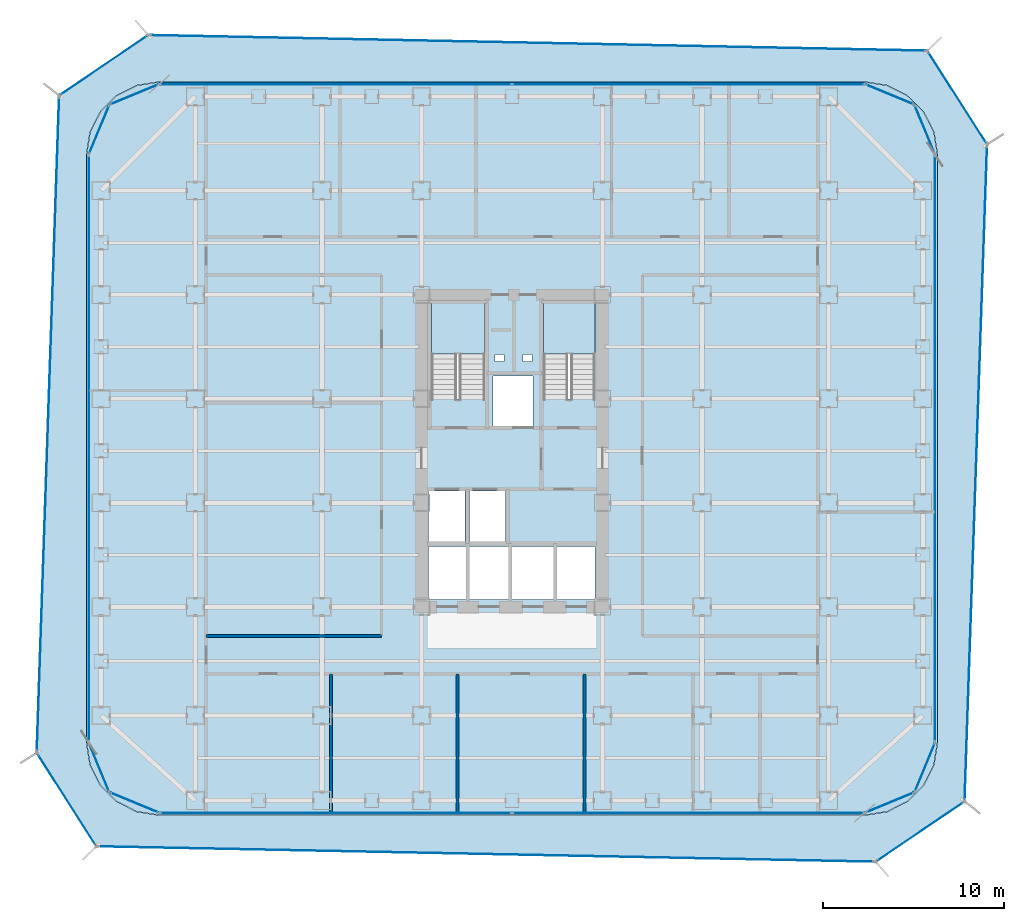
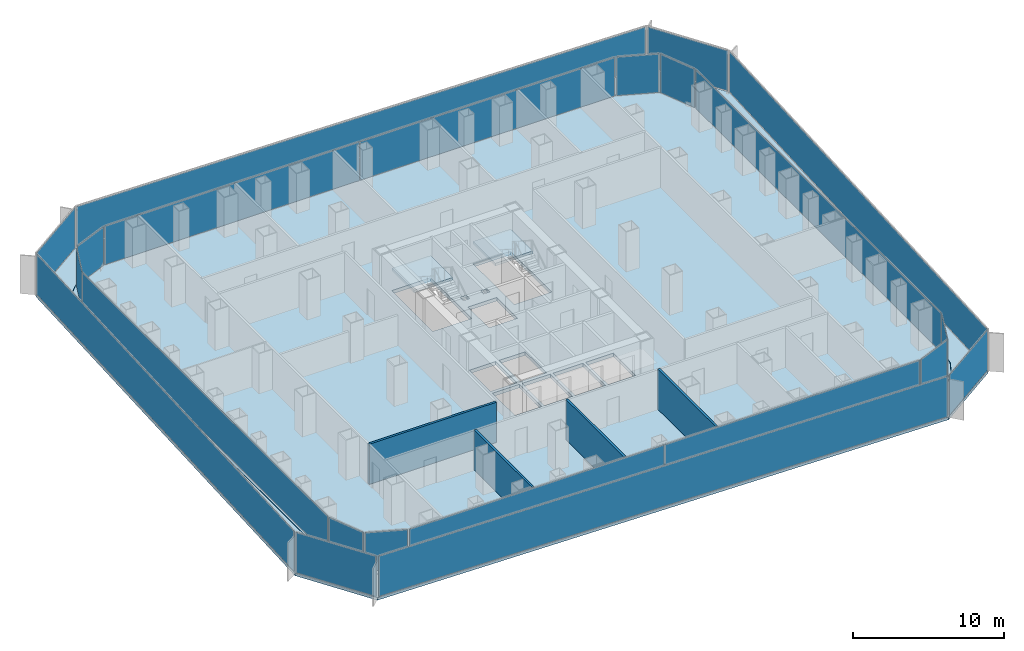
# One storey, part 16 of 22: 22 plates, 4 slabs, 4 walls, 22 elements without a shape of their own.
"""IFC4 building model written with IfcOpenShell, lengths in metres."""

from ifc_helpers import new_model, si_unit, direction, frame, frame_2d, origin, origin_2d, place, context, subcontext, project, spatial, polyline, rectangle, outline, extrude, source, transform, mapped, material, layer, layer_set, type_object, element, aggregate, save


model = new_model("IFC4")

# Units and contexts
model_context = context("Model", 3, precision=1e-05, world=origin(), true_north=direction((0.0, 1.0)))
body_context = subcontext(model_context, "Body", "Model", "MODEL_VIEW")
ifc_project = project(units=[si_unit("LENGTHUNIT", "METRE"), si_unit("AREAUNIT", "SQUARE_METRE"), si_unit("VOLUMEUNIT", "CUBIC_METRE"), si_unit("PLANEANGLEUNIT", "RADIAN"), si_unit("MASSUNIT", "GRAM", prefix="KILO")], contexts=[model_context])

# Site, building, storey
site_placement = place(None, origin())
site = spatial("IfcSite", under=ifc_project, at=site_placement, CompositionType="ELEMENT")
building_placement = place(site_placement, origin())
building = spatial("IfcBuilding", under=site, at=building_placement, Name="Kolveth Station Tower", CompositionType="ELEMENT")
storey_placement = place(building_placement, frame((0.0, 0.0, 84.60009765625)))
storey = spatial("IfcBuildingStorey", under=building, at=storey_placement, Name="L22", CompositionType="ELEMENT", Elevation=84.60009765625)

# Slab
ifc_material_1 = material(Name="Concrete C45/55", Category="concrete")
ifc_layer_1 = layer(ifc_material_1, 0.280029296875)
ifc_layer_set_1 = layer_set([ifc_layer_1], Name="Concrete C45/55")
slab_type_1 = type_object("IfcSlabType", Name="Slab_SF-280", PredefinedType="FLOOR", material=ifc_layer_set_1)
slab_1_placement = place(storey_placement, frame((0.0, 0.0, -0.280029296875)))
element("IfcSlab", 1, at=slab_1_placement, inside=storey, type_object=slab_type_1, Name="L22 Tower Structural Floor Slab", PredefinedType="FLOOR", context=body_context, shape_type="SweptSolid", body=[
    extrude(outline(polyline([(43.0, 0.0), (44.236083984375, 0.19580078125), (45.35107421875, 0.763916015625), (46.236083984375, 1.64892578125), (46.80419921875, 2.763916015625), (47.0, 4.0), (47.0, 36.5), (46.80419921875, 37.736083984375), (46.236083984375, 38.85107421875), (45.35107421875, 39.736083984375), (44.236083984375, 40.30419921875), (43.0, 40.5), (4.0, 40.5), (2.763916015625, 40.30419921875), (1.64892578125, 39.736083984375), (0.763916015625, 38.85107421875), (0.19580078125, 37.736083984375), (0.0, 36.5), (0.0, 4.0), (0.19580078125, 2.763916015625), (0.763916015625, 1.64892578125), (1.64892578125, 0.763916015625), (2.763916015625, 0.19580078125), (4.0, 0.0), (43.0, 0.0)]), holes=[polyline([(19.0400390625, 22.985107421875), (22.0, 22.985107421875), (22.0, 28.39990234375), (19.0400390625, 28.39990234375), (19.0400390625, 22.985107421875)]), polyline([(25.239990234375, 22.985107421875), (28.10009765625, 22.985107421875), (28.10009765625, 28.39990234375), (25.239990234375, 28.39990234375), (25.239990234375, 22.985107421875)]), polyline([(18.89990234375, 15.10009765625), (20.89990234375, 15.10009765625), (20.89990234375, 17.89990234375), (18.89990234375, 17.89990234375), (18.89990234375, 15.10009765625)]), polyline([(21.14990234375, 15.10009765625), (23.14990234375, 15.10009765625), (23.14990234375, 17.89990234375), (21.14990234375, 17.89990234375), (21.14990234375, 15.10009765625)]), polyline([(22.449951171875, 21.5), (24.64990234375, 21.5), (24.64990234375, 24.25), (22.449951171875, 24.25), (22.449951171875, 21.5)]), polyline([(18.89990234375, 11.89990234375), (20.949951171875, 11.89990234375), (20.949951171875, 14.85009765625), (18.89990234375, 14.85009765625), (18.89990234375, 11.89990234375)]), polyline([(21.14990234375, 11.89990234375), (23.300048828125, 11.89990234375), (23.300048828125, 14.85009765625), (21.14990234375, 14.85009765625), (21.14990234375, 11.89990234375)]), polyline([(23.5, 11.89990234375), (25.800048828125, 11.89990234375), (25.800048828125, 14.85009765625), (23.5, 14.85009765625), (23.5, 11.89990234375)]), polyline([(26.0, 11.89990234375), (28.10009765625, 11.89990234375), (28.10009765625, 14.85009765625), (26.0, 14.85009765625), (26.0, 11.89990234375)]), polyline([(22.550048828125, 25.050048828125), (23.050048828125, 25.050048828125), (23.050048828125, 25.449951171875), (22.550048828125, 25.449951171875), (22.550048828125, 25.050048828125)]), polyline([(24.10009765625, 25.050048828125), (24.60009765625, 25.050048828125), (24.60009765625, 25.449951171875), (24.10009765625, 25.449951171875), (24.10009765625, 25.050048828125)])]), origin(), (0.0, 0.0, 1.0), 0.280029296875),
])

# Stair, slab
ifc_material_2 = material(Name="Concrete C40/50", Category="concrete")
stair_type_1 = type_object("IfcStairType", Name="Stair_ST2", PredefinedType="HALF_TURN_STAIR", material=ifc_material_2)
stair_1_placement = place(storey_placement, origin())
stair_1 = element("IfcStair", 2, at=stair_1_placement, inside=storey, type_object=stair_type_1, Name="L22 Tower Exit Stair ST2", PredefinedType="HALF_TURN_STAIR")
ifc_layer_2 = layer(ifc_material_2, 0.18994140625)
ifc_layer_set_2 = layer_set([ifc_layer_2], Name="Concrete C40/50")
slab_type_2 = type_object("IfcSlabType", Name="Slab_SL-190", PredefinedType="LANDING", material=ifc_layer_set_2)
slab_2_placement = place(storey_placement, frame((0.0, 0.0, 1.599853515625)))
slab_2 = element("IfcSlab", 3, at=slab_2_placement, type_object=slab_type_2, Name="ST2 landing 1", PredefinedType="LANDING", context=body_context, shape_type="SweptSolid", body=[
    extrude(outline(polyline([(28.10009765625, 25.469970703125), (28.10009765625, 28.39990234375), (25.239990234375, 28.39990234375), (25.239990234375, 25.469970703125), (28.10009765625, 25.469970703125)])), origin(), (0.0, 0.0, 1.0), 0.199951171875),
])
aggregate(stair_1, [slab_2])

stair_type_2 = type_object("IfcStairType", Name="Stair_ST1", PredefinedType="HALF_TURN_STAIR", material=ifc_material_2)
stair_2_placement = place(storey_placement, origin())
stair_2 = element("IfcStair", 4, at=stair_2_placement, inside=storey, type_object=stair_type_2, Name="L22 Tower Exit Stair ST1", PredefinedType="HALF_TURN_STAIR")
ifc_layer_3 = layer(ifc_material_2, 0.205078125)
ifc_layer_set_3 = layer_set([ifc_layer_3], Name="Concrete C40/50")
slab_type_3 = type_object("IfcSlabType", Name="Slab_SL-205", PredefinedType="LANDING", material=ifc_layer_set_3)
slab_3_placement = place(storey_placement, frame((0.0, 0.0, 1.599853515625)))
slab_3 = element("IfcSlab", 5, at=slab_3_placement, type_object=slab_type_3, Name="ST1 landing 1", PredefinedType="LANDING", context=body_context, shape_type="SweptSolid", body=[
    extrude(outline(polyline([(22.0, 25.469970703125), (22.0, 28.39990234375), (19.0400390625, 28.39990234375), (19.0400390625, 25.469970703125), (22.0, 25.469970703125)])), origin(), (0.0, 0.0, 1.0), 0.199951171875),
])
aggregate(stair_2, [slab_3])

# Slab
ifc_layer_4 = layer(ifc_material_2, 0.2099609375)
ifc_layer_set_4 = layer_set([ifc_layer_4], Name="Concrete C40/50")
slab_type_4 = type_object("IfcSlabType", Name="Slab_ST-210", PredefinedType="FLOOR", material=ifc_layer_set_4)
slab_4_placement = place(storey_placement, frame((0.0, 0.0, -0.210205078125)))
element("IfcSlab", 6, at=slab_4_placement, inside=storey, type_object=slab_type_4, Name="L22 Double-Skin Cavity Structural Ledger Ring", PredefinedType="FLOOR", context=body_context, shape_type="SweptSolid", body=[
    extrude(outline(polyline([(0.54443359375, -1.733642578125), (-2.754150390625, 3.444580078125), (-1.51416015625, 39.755615234375), (3.40625, 43.0908203125), (46.4521484375, 42.227783203125), (49.754638671875, 37.055419921875), (48.509033203125, 0.74755859375), (43.59326171875, -2.5849609375), (0.54443359375, -1.733642578125)]), holes=[polyline([(43.002197265625, -0.014892578125), (44.23828125, 0.180908203125), (44.242919921875, 0.182373046875), (45.35791015625, 0.75048828125), (45.36181640625, 0.75341796875), (46.24658203125, 1.63818359375), (46.24951171875, 1.64208984375), (46.817626953125, 2.757080078125), (46.819091796875, 2.76171875), (47.014892578125, 3.997802734375), (47.014892578125, 4.0), (47.014892578125, 36.5), (47.014892578125, 36.502197265625), (46.819091796875, 37.73828125), (46.817626953125, 37.742919921875), (46.24951171875, 38.85791015625), (46.24658203125, 38.86181640625), (45.36181640625, 39.74658203125), (45.35791015625, 39.74951171875), (44.242919921875, 40.317626953125), (44.23828125, 40.319091796875), (43.002197265625, 40.514892578125), (43.0, 40.514892578125), (4.0, 40.514892578125), (3.997802734375, 40.514892578125), (2.76171875, 40.319091796875), (2.757080078125, 40.317626953125), (1.64208984375, 39.74951171875), (1.63818359375, 39.74658203125), (0.75341796875, 38.86181640625), (0.75048828125, 38.85791015625), (0.182373046875, 37.742919921875), (0.180908203125, 37.73828125), (-0.014892578125, 36.502197265625), (-0.014892578125, 36.5), (-0.014892578125, 4.0), (-0.014892578125, 3.997802734375), (0.180908203125, 2.76171875), (0.182373046875, 2.757080078125), (0.75048828125, 1.64208984375), (0.75341796875, 1.63818359375), (1.63818359375, 0.75341796875), (1.64208984375, 0.75048828125), (2.757080078125, 0.182373046875), (2.76171875, 0.180908203125), (3.997802734375, -0.014892578125), (4.0, -0.014892578125), (43.0, -0.014892578125), (43.002197265625, -0.014892578125)])]), origin(), (0.0, 0.0, 1.0), 0.210205078125),
])

# Curtain wall, plate
ifc_material_3 = material(Name="Aluminium 6063-T6 and low-E dark glass", Category="aluminium")
ifc_layer_5 = layer(ifc_material_3, 0.179931640625)
ifc_layer_set_5 = layer_set([ifc_layer_5], Name="Aluminium 6063-T6 and low-E dark glass")
curtain_wall_type_1 = type_object("IfcCurtainWallType", Name="CurtainWall_CW-Z1", PredefinedType="NOTDEFINED", material=ifc_layer_set_5)
curtain_wall_1_placement = place(storey_placement, origin())
curtain_wall_1 = element("IfcCurtainWall", 7, at=curtain_wall_1_placement, inside=storey, type_object=curtain_wall_type_1, Name="L22 Inner Thermal Curtain Wall 1", PredefinedType="NOTDEFINED")
ifc_material_4 = material(Name="Architectural low-E dark glass", Category="glass")
ifc_layer_6 = layer(ifc_material_4, 0.035888671875)
ifc_layer_set_6 = layer_set([ifc_layer_6], Name="Architectural low-E dark glass")
plate_type_1 = type_object("IfcPlateType", Name="Panel_GL1", PredefinedType="CURTAIN_PANEL", material=ifc_layer_set_6)
shared_shape_1 = source(origin(), body_context, "Body", "SweptSolid", [
    extrude(rectangle(XDim=2.83349609375, YDim=0.035888671875, at=origin_2d()), origin(), (0.0, 0.0, 1.0), 3.10400390625),
])
plate_1_placement = place(storey_placement, frame((44.371826171875, 0.688232421875, 0.06787109375), z_axis=(0.0, 0.0, 1.0), x_axis=(0.923883857728, 0.382672990201, 0.0)))
plate_1 = element("IfcPlate", 8, at=plate_1_placement, type_object=plate_type_1, Name="CW-Z1 panel 1.1", PredefinedType="CURTAIN_PANEL", context=body_context, shape_type="MappedRepresentation", body=[
    mapped(shared_shape_1, transform((0.0, 0.0, 0.0), x_axis=(1.0, 0.0, 0.0), y_axis=(0.0, 1.0, 0.0), z_axis=(0.0, 0.0, 1.0), scale=1.0)),
])
aggregate(curtain_wall_1, [plate_1])

curtain_wall_2_placement = place(storey_placement, origin())
curtain_wall_2 = element("IfcCurtainWall", 9, at=curtain_wall_2_placement, inside=storey, type_object=curtain_wall_type_1, Name="L22 Inner Thermal Curtain Wall 2", PredefinedType="NOTDEFINED")
plate_2_placement = place(storey_placement, frame((46.311767578125, 2.628173828125, 0.06787109375), z_axis=(0.0, 0.0, 1.0), x_axis=(0.382672990201, 0.923883857728, 0.0)))
plate_2 = element("IfcPlate", 10, at=plate_2_placement, type_object=plate_type_1, Name="CW-Z1 panel 1.1", PredefinedType="CURTAIN_PANEL", context=body_context, shape_type="MappedRepresentation", body=[
    mapped(shared_shape_1, transform((0.0, 0.0, 0.0), x_axis=(1.0, 0.0, 0.0), y_axis=(0.0, 1.0, 0.0), z_axis=(0.0, 0.0, 1.0), scale=1.0)),
])
aggregate(curtain_wall_2, [plate_2])

curtain_wall_3_placement = place(storey_placement, origin())
curtain_wall_3 = element("IfcCurtainWall", 11, at=curtain_wall_3_placement, inside=storey, type_object=curtain_wall_type_1, Name="L22 Inner Thermal Curtain Wall 4", PredefinedType="NOTDEFINED")
plate_3_placement = place(storey_placement, frame((46.311767578125, 37.871826171875, 0.06787109375), z_axis=(0.0, 0.0, 1.0), x_axis=(-0.382672990201, 0.923883857728, 0.0)))
plate_3 = element("IfcPlate", 12, at=plate_3_placement, type_object=plate_type_1, Name="CW-Z1 panel 1.1", PredefinedType="CURTAIN_PANEL", context=body_context, shape_type="MappedRepresentation", body=[
    mapped(shared_shape_1, transform((0.0, 0.0, 0.0), x_axis=(1.0, 0.0, 0.0), y_axis=(0.0, 1.0, 0.0), z_axis=(0.0, 0.0, 1.0), scale=1.0)),
])
aggregate(curtain_wall_3, [plate_3])

curtain_wall_4_placement = place(storey_placement, origin())
curtain_wall_4 = element("IfcCurtainWall", 13, at=curtain_wall_4_placement, inside=storey, type_object=curtain_wall_type_1, Name="L22 Inner Thermal Curtain Wall 5", PredefinedType="NOTDEFINED")
plate_4_placement = place(storey_placement, frame((44.371826171875, 39.811767578125, 0.06787109375), z_axis=(0.0, 0.0, 1.0), x_axis=(-0.923883857728, 0.382672990201, 0.0)))
plate_4 = element("IfcPlate", 14, at=plate_4_placement, type_object=plate_type_1, Name="CW-Z1 panel 1.1", PredefinedType="CURTAIN_PANEL", context=body_context, shape_type="MappedRepresentation", body=[
    mapped(shared_shape_1, transform((0.0, 0.0, 0.0), x_axis=(1.0, 0.0, 0.0), y_axis=(0.0, 1.0, 0.0), z_axis=(0.0, 0.0, 1.0), scale=1.0)),
])
aggregate(curtain_wall_4, [plate_4])

curtain_wall_5_placement = place(storey_placement, origin())
curtain_wall_5 = element("IfcCurtainWall", 15, at=curtain_wall_5_placement, inside=storey, type_object=curtain_wall_type_1, Name="L22 Inner Thermal Curtain Wall 7", PredefinedType="NOTDEFINED")
plate_5_placement = place(storey_placement, frame((2.628173828125, 39.811767578125, 0.06787109375), z_axis=(0.0, 0.0, 1.0), x_axis=(-0.923883857728, -0.382672990201, 0.0)))
plate_5 = element("IfcPlate", 16, at=plate_5_placement, type_object=plate_type_1, Name="CW-Z1 panel 1.1", PredefinedType="CURTAIN_PANEL", context=body_context, shape_type="MappedRepresentation", body=[
    mapped(shared_shape_1, transform((0.0, 0.0, 0.0), x_axis=(1.0, 0.0, 0.0), y_axis=(0.0, 1.0, 0.0), z_axis=(0.0, 0.0, 1.0), scale=1.0)),
])
aggregate(curtain_wall_5, [plate_5])

curtain_wall_6_placement = place(storey_placement, origin())
curtain_wall_6 = element("IfcCurtainWall", 17, at=curtain_wall_6_placement, inside=storey, type_object=curtain_wall_type_1, Name="L22 Inner Thermal Curtain Wall 8", PredefinedType="NOTDEFINED")
plate_6_placement = place(storey_placement, frame((0.688232421875, 37.871826171875, 0.06787109375), z_axis=(0.0, 0.0, 1.0), x_axis=(-0.382672990201, -0.923883857728, 0.0)))
plate_6 = element("IfcPlate", 18, at=plate_6_placement, type_object=plate_type_1, Name="CW-Z1 panel 1.1", PredefinedType="CURTAIN_PANEL", context=body_context, shape_type="MappedRepresentation", body=[
    mapped(shared_shape_1, transform((0.0, 0.0, 0.0), x_axis=(1.0, 0.0, 0.0), y_axis=(0.0, 1.0, 0.0), z_axis=(0.0, 0.0, 1.0), scale=1.0)),
])
aggregate(curtain_wall_6, [plate_6])

curtain_wall_7_placement = place(storey_placement, origin())
curtain_wall_7 = element("IfcCurtainWall", 19, at=curtain_wall_7_placement, inside=storey, type_object=curtain_wall_type_1, Name="L22 Inner Thermal Curtain Wall 10", PredefinedType="NOTDEFINED")
plate_7_placement = place(storey_placement, frame((0.688232421875, 2.628173828125, 0.06787109375), z_axis=(0.0, 0.0, 1.0), x_axis=(0.382672990201, -0.923883857728, 0.0)))
plate_7 = element("IfcPlate", 20, at=plate_7_placement, type_object=plate_type_1, Name="CW-Z1 panel 1.1", PredefinedType="CURTAIN_PANEL", context=body_context, shape_type="MappedRepresentation", body=[
    mapped(shared_shape_1, transform((0.0, 0.0, 0.0), x_axis=(1.0, 0.0, 0.0), y_axis=(0.0, 1.0, 0.0), z_axis=(0.0, 0.0, 1.0), scale=1.0)),
])
aggregate(curtain_wall_7, [plate_7])

curtain_wall_8_placement = place(storey_placement, origin())
curtain_wall_8 = element("IfcCurtainWall", 21, at=curtain_wall_8_placement, inside=storey, type_object=curtain_wall_type_1, Name="L22 Inner Thermal Curtain Wall 11", PredefinedType="NOTDEFINED")
plate_8_placement = place(storey_placement, frame((2.628173828125, 0.688232421875, 0.06787109375), z_axis=(0.0, 0.0, 1.0), x_axis=(0.923883857728, -0.382672990201, 0.0)))
plate_8 = element("IfcPlate", 22, at=plate_8_placement, type_object=plate_type_1, Name="CW-Z1 panel 1.1", PredefinedType="CURTAIN_PANEL", context=body_context, shape_type="MappedRepresentation", body=[
    mapped(shared_shape_1, transform((0.0, 0.0, 0.0), x_axis=(1.0, 0.0, 0.0), y_axis=(0.0, 1.0, 0.0), z_axis=(0.0, 0.0, 1.0), scale=1.0)),
])
aggregate(curtain_wall_8, [plate_8])

curtain_wall_9_placement = place(storey_placement, origin())
curtain_wall_9 = element("IfcCurtainWall", 23, at=curtain_wall_9_placement, inside=storey, type_object=curtain_wall_type_1, Name="L22 Inner Thermal Curtain Wall 3", PredefinedType="NOTDEFINED")
shared_shape_2 = source(origin(), body_context, "Body", "SweptSolid", [
    extrude(rectangle(XDim=32.364013671875, YDim=0.035888671875, at=origin_2d()), origin(), (0.0, 0.0, 1.0), 3.10400390625),
])
plate_9_placement = place(storey_placement, frame((46.8798828125, 20.25, 0.06787109375), z_axis=(0.0, 0.0, 1.0), x_axis=(0.0, 1.0, 0.0)))
plate_9 = element("IfcPlate", 24, at=plate_9_placement, type_object=plate_type_1, Name="CW-Z1 panel 1.1", PredefinedType="CURTAIN_PANEL", context=body_context, shape_type="MappedRepresentation", body=[
    mapped(shared_shape_2, transform((0.0, 0.0, 0.0), x_axis=(1.0, 0.0, 0.0), y_axis=(0.0, 1.0, 0.0), z_axis=(0.0, 0.0, 1.0), scale=1.0)),
])
aggregate(curtain_wall_9, [plate_9])

curtain_wall_10_placement = place(storey_placement, origin())
curtain_wall_10 = element("IfcCurtainWall", 25, at=curtain_wall_10_placement, inside=storey, type_object=curtain_wall_type_1, Name="L22 Inner Thermal Curtain Wall 9", PredefinedType="NOTDEFINED")
plate_10_placement = place(storey_placement, frame((0.1201171875, 20.25, 0.06787109375), z_axis=(0.0, 0.0, 1.0), x_axis=(0.0, -1.0, 0.0)))
plate_10 = element("IfcPlate", 26, at=plate_10_placement, type_object=plate_type_1, Name="CW-Z1 panel 1.1", PredefinedType="CURTAIN_PANEL", context=body_context, shape_type="MappedRepresentation", body=[
    mapped(shared_shape_2, transform((0.0, 0.0, 0.0), x_axis=(1.0, 0.0, 0.0), y_axis=(0.0, 1.0, 0.0), z_axis=(0.0, 0.0, 1.0), scale=1.0)),
])
aggregate(curtain_wall_10, [plate_10])

# Curtain wall, plates
curtain_wall_11_placement = place(storey_placement, origin())
curtain_wall_11 = element("IfcCurtainWall", 27, at=curtain_wall_11_placement, inside=storey, type_object=curtain_wall_type_1, Name="L22 Inner Thermal Curtain Wall 6", PredefinedType="NOTDEFINED")
shared_shape_3 = source(origin(), body_context, "Body", "SweptSolid", [
    extrude(rectangle(XDim=19.401611328125, YDim=0.035888671875, at=origin_2d()), origin(), (0.0, 0.0, 1.0), 3.10400390625),
])
plate_11_placement = place(storey_placement, frame((33.231201171875, 40.3798828125, 0.06787109375), z_axis=(0.0, 0.0, 1.0), x_axis=(-1.0, 0.0, 0.0)))
plate_11 = element("IfcPlate", 28, at=plate_11_placement, type_object=plate_type_1, Name="CW-Z1 panel 1.1", PredefinedType="CURTAIN_PANEL", context=body_context, shape_type="MappedRepresentation", body=[
    mapped(shared_shape_3, transform((0.0, 0.0, 0.0), x_axis=(1.0, 0.0, 0.0), y_axis=(0.0, 1.0, 0.0), z_axis=(0.0, 0.0, 1.0), scale=1.0)),
])
plate_12_placement = place(storey_placement, frame((13.768798828125, 40.3798828125, 0.06787109375), z_axis=(0.0, 0.0, 1.0), x_axis=(-1.0, 0.0, 0.0)))
plate_12 = element("IfcPlate", 29, at=plate_12_placement, type_object=plate_type_1, Name="CW-Z1 panel 2.1", PredefinedType="CURTAIN_PANEL", context=body_context, shape_type="MappedRepresentation", body=[
    mapped(shared_shape_3, transform((0.0, 0.0, 0.0), x_axis=(1.0, 0.0, 0.0), y_axis=(0.0, 1.0, 0.0), z_axis=(0.0, 0.0, 1.0), scale=1.0)),
])
aggregate(curtain_wall_11, [plate_11, plate_12])

curtain_wall_12_placement = place(storey_placement, origin())
curtain_wall_12 = element("IfcCurtainWall", 30, at=curtain_wall_12_placement, inside=storey, type_object=curtain_wall_type_1, Name="L22 Inner Thermal Curtain Wall 12", PredefinedType="NOTDEFINED")
plate_13_placement = place(storey_placement, frame((13.768798828125, 0.1201171875, 0.06787109375), z_axis=(0.0, 0.0, 1.0), x_axis=(1.0, 0.0, 0.0)))
plate_13 = element("IfcPlate", 31, at=plate_13_placement, type_object=plate_type_1, Name="CW-Z1 panel 1.1", PredefinedType="CURTAIN_PANEL", context=body_context, shape_type="MappedRepresentation", body=[
    mapped(shared_shape_3, transform((0.0, 0.0, 0.0), x_axis=(1.0, 0.0, 0.0), y_axis=(0.0, 1.0, 0.0), z_axis=(0.0, 0.0, 1.0), scale=1.0)),
])
plate_14_placement = place(storey_placement, frame((33.231201171875, 0.1201171875, 0.06787109375), z_axis=(0.0, 0.0, 1.0), x_axis=(1.0, 0.0, 0.0)))
plate_14 = element("IfcPlate", 32, at=plate_14_placement, type_object=plate_type_1, Name="CW-Z1 panel 2.1", PredefinedType="CURTAIN_PANEL", context=body_context, shape_type="MappedRepresentation", body=[
    mapped(shared_shape_3, transform((0.0, 0.0, 0.0), x_axis=(1.0, 0.0, 0.0), y_axis=(0.0, 1.0, 0.0), z_axis=(0.0, 0.0, 1.0), scale=1.0)),
])
aggregate(curtain_wall_12, [plate_13, plate_14])

# Curtain wall, plate
ifc_material_5 = material(Name="Black anodized aluminium 6063-T6 and dark solar glass", Category="aluminium")
ifc_layer_7 = layer(ifc_material_5, 0.159912109375)
ifc_layer_set_7 = layer_set([ifc_layer_7], Name="Black anodized aluminium 6063-T6 and dark solar glass")
curtain_wall_type_2 = type_object("IfcCurtainWallType", Name="OUTER SKIN CW-OS", PredefinedType="NOTDEFINED", material=ifc_layer_set_7)
curtain_wall_13_placement = place(storey_placement, origin())
curtain_wall_13 = element("IfcCurtainWall", 33, at=curtain_wall_13_placement, inside=storey, type_object=curtain_wall_type_2, Name="L22 Outer Ventilated Skin Curtain Wall 1", PredefinedType="NOTDEFINED")
ifc_layer_8 = layer(ifc_material_4, 0.028076171875)
ifc_layer_set_8 = layer_set([ifc_layer_8], Name="Architectural low-E dark glass")
plate_type_2 = type_object("IfcPlateType", Name="Panel_GL-OS", PredefinedType="CURTAIN_PANEL", material=ifc_layer_set_8)
shared_shape_4 = source(origin(), body_context, "Body", "SweptSolid", [
    extrude(rectangle(XDim=5.77294921875, YDim=0.028076171875, at=origin_2d()), origin(), (0.0, 0.0, 1.0), 3.243896484375),
])
plate_15_placement = place(storey_placement, frame((46.051025390625, -0.918701171875, 0.07275390625), z_axis=(0.0, 0.0, 1.0), x_axis=(0.827719897868, 0.561141488996, 0.0)))
plate_15 = element("IfcPlate", 34, at=plate_15_placement, type_object=plate_type_2, Name="CW-OS panel 1.1", PredefinedType="CURTAIN_PANEL", context=body_context, shape_type="MappedRepresentation", body=[
    mapped(shared_shape_4, transform((0.0, 0.0, 0.0), x_axis=(1.0, 0.0, 0.0), y_axis=(0.0, 1.0, 0.0), z_axis=(0.0, 0.0, 1.0), scale=1.0)),
])
aggregate(curtain_wall_13, [plate_15])

curtain_wall_14_placement = place(storey_placement, origin())
curtain_wall_14 = element("IfcCurtainWall", 35, at=curtain_wall_14_placement, inside=storey, type_object=curtain_wall_type_2, Name="L22 Outer Ventilated Skin Curtain Wall 2", PredefinedType="NOTDEFINED")
shared_shape_5 = source(origin(), body_context, "Body", "SweptSolid", [
    extrude(rectangle(XDim=36.1630859375, YDim=0.028076171875, at=origin_2d()), origin(), (0.0, 0.0, 1.0), 3.243896484375),
])
plate_16_placement = place(storey_placement, frame((49.1318359375, 18.901611328125, 0.07275390625), z_axis=(0.0, 0.0, 1.0), x_axis=(0.034286507121, 0.999412044869, 0.0)))
plate_16 = element("IfcPlate", 36, at=plate_16_placement, type_object=plate_type_2, Name="CW-OS panel 1.1", PredefinedType="CURTAIN_PANEL", context=body_context, shape_type="MappedRepresentation", body=[
    mapped(shared_shape_5, transform((0.0, 0.0, 0.0), x_axis=(1.0, 0.0, 0.0), y_axis=(0.0, 1.0, 0.0), z_axis=(0.0, 0.0, 1.0), scale=1.0)),
])
aggregate(curtain_wall_14, [plate_16])

curtain_wall_15_placement = place(storey_placement, origin())
curtain_wall_15 = element("IfcCurtainWall", 37, at=curtain_wall_15_placement, inside=storey, type_object=curtain_wall_type_2, Name="L22 Outer Ventilated Skin Curtain Wall 3", PredefinedType="NOTDEFINED")
shared_shape_6 = source(origin(), body_context, "Body", "SweptSolid", [
    extrude(rectangle(XDim=5.970703125, YDim=0.028076171875, at=origin_2d()), origin(), (0.0, 0.0, 1.0), 3.243896484375),
])
plate_17_placement = place(storey_placement, frame((48.103515625, 39.6416015625, 0.07275390625), z_axis=(0.0, 0.0, 1.0), x_axis=(-0.538143348044, 0.842853330631, 0.0)))
plate_17 = element("IfcPlate", 38, at=plate_17_placement, type_object=plate_type_2, Name="CW-OS panel 1.1", PredefinedType="CURTAIN_PANEL", context=body_context, shape_type="MappedRepresentation", body=[
    mapped(shared_shape_6, transform((0.0, 0.0, 0.0), x_axis=(1.0, 0.0, 0.0), y_axis=(0.0, 1.0, 0.0), z_axis=(0.0, 0.0, 1.0), scale=1.0)),
])
aggregate(curtain_wall_15, [plate_17])

curtain_wall_16_placement = place(storey_placement, origin())
curtain_wall_16 = element("IfcCurtainWall", 39, at=curtain_wall_16_placement, inside=storey, type_object=curtain_wall_type_2, Name="L22 Outer Ventilated Skin Curtain Wall 4", PredefinedType="NOTDEFINED")
shared_shape_7 = source(origin(), body_context, "Body", "SweptSolid", [
    extrude(rectangle(XDim=42.888671875, YDim=0.028076171875, at=origin_2d()), origin(), (0.0, 0.0, 1.0), 3.243896484375),
])
plate_18_placement = place(storey_placement, frame((24.92919921875, 42.6591796875, 0.07275390625), z_axis=(0.0, 0.0, 1.0), x_axis=(-0.999798999883, 0.020048935948, 0.0)))
plate_18 = element("IfcPlate", 40, at=plate_18_placement, type_object=plate_type_2, Name="CW-OS panel 1.1", PredefinedType="CURTAIN_PANEL", context=body_context, shape_type="MappedRepresentation", body=[
    mapped(shared_shape_7, transform((0.0, 0.0, 0.0), x_axis=(1.0, 0.0, 0.0), y_axis=(0.0, 1.0, 0.0), z_axis=(0.0, 0.0, 1.0), scale=1.0)),
])
aggregate(curtain_wall_16, [plate_18])

curtain_wall_17_placement = place(storey_placement, origin())
curtain_wall_17 = element("IfcCurtainWall", 41, at=curtain_wall_17_placement, inside=storey, type_object=curtain_wall_type_2, Name="L22 Outer Ventilated Skin Curtain Wall 5", PredefinedType="NOTDEFINED")
shared_shape_8 = source(origin(), body_context, "Body", "SweptSolid", [
    extrude(rectangle(XDim=5.7783203125, YDim=0.028076171875, at=origin_2d()), origin(), (0.0, 0.0, 1.0), 3.243896484375),
])
plate_19_placement = place(storey_placement, frame((0.946044921875, 41.423095703125, 0.07275390625), z_axis=(0.0, 0.0, 1.0), x_axis=(-0.827744784004, -0.561104778587, 0.0)))
plate_19 = element("IfcPlate", 42, at=plate_19_placement, type_object=plate_type_2, Name="CW-OS panel 1.1", PredefinedType="CURTAIN_PANEL", context=body_context, shape_type="MappedRepresentation", body=[
    mapped(shared_shape_8, transform((0.0, 0.0, 0.0), x_axis=(1.0, 0.0, 0.0), y_axis=(0.0, 1.0, 0.0), z_axis=(0.0, 0.0, 1.0), scale=1.0)),
])
aggregate(curtain_wall_17, [plate_19])

curtain_wall_18_placement = place(storey_placement, origin())
curtain_wall_18 = element("IfcCurtainWall", 43, at=curtain_wall_18_placement, inside=storey, type_object=curtain_wall_type_2, Name="L22 Outer Ventilated Skin Curtain Wall 6", PredefinedType="NOTDEFINED")
shared_shape_9 = source(origin(), body_context, "Body", "SweptSolid", [
    extrude(rectangle(XDim=36.166015625, YDim=0.028076171875, at=origin_2d()), origin(), (0.0, 0.0, 1.0), 3.243896484375),
])
plate_20_placement = place(storey_placement, frame((-2.13427734375, 21.60009765625, 0.07275390625), z_axis=(0.0, 0.0, 1.0), x_axis=(-0.034129724221, -0.999417411257, 0.0)))
plate_20 = element("IfcPlate", 44, at=plate_20_placement, type_object=plate_type_2, Name="CW-OS panel 1.1", PredefinedType="CURTAIN_PANEL", context=body_context, shape_type="MappedRepresentation", body=[
    mapped(shared_shape_9, transform((0.0, 0.0, 0.0), x_axis=(1.0, 0.0, 0.0), y_axis=(0.0, 1.0, 0.0), z_axis=(0.0, 0.0, 1.0), scale=1.0)),
])
aggregate(curtain_wall_18, [plate_20])

curtain_wall_19_placement = place(storey_placement, origin())
curtain_wall_19 = element("IfcCurtainWall", 45, at=curtain_wall_19_placement, inside=storey, type_object=curtain_wall_type_2, Name="L22 Outer Ventilated Skin Curtain Wall 7", PredefinedType="NOTDEFINED")
shared_shape_10 = source(origin(), body_context, "Body", "SweptSolid", [
    extrude(rectangle(XDim=5.9736328125, YDim=0.028076171875, at=origin_2d()), origin(), (0.0, 0.0, 1.0), 3.243896484375),
])
plate_21_placement = place(storey_placement, frame((-1.10498046875, 0.85546875, 0.07275390625), z_axis=(0.0, 0.0, 1.0), x_axis=(0.537260109268, -0.843416608201, 0.0)))
plate_21 = element("IfcPlate", 46, at=plate_21_placement, type_object=plate_type_2, Name="CW-OS panel 1.1", PredefinedType="CURTAIN_PANEL", context=body_context, shape_type="MappedRepresentation", body=[
    mapped(shared_shape_10, transform((0.0, 0.0, 0.0), x_axis=(1.0, 0.0, 0.0), y_axis=(0.0, 1.0, 0.0), z_axis=(0.0, 0.0, 1.0), scale=1.0)),
])
aggregate(curtain_wall_19, [plate_21])

curtain_wall_20_placement = place(storey_placement, origin())
curtain_wall_20 = element("IfcCurtainWall", 47, at=curtain_wall_20_placement, inside=storey, type_object=curtain_wall_type_2, Name="L22 Outer Ventilated Skin Curtain Wall 8", PredefinedType="NOTDEFINED")
shared_shape_11 = source(origin(), body_context, "Body", "SweptSolid", [
    extrude(rectangle(XDim=42.89111328125, YDim=0.028076171875, at=origin_2d()), origin(), (0.0, 0.0, 1.0), 3.243896484375),
])
plate_22_placement = place(storey_placement, frame((22.06884765625, -2.1591796875, 0.07275390625), z_axis=(0.0, 0.0, 1.0), x_axis=(0.99980448152, -0.019773687894, 0.0)))
plate_22 = element("IfcPlate", 48, at=plate_22_placement, type_object=plate_type_2, Name="CW-OS panel 1.1", PredefinedType="CURTAIN_PANEL", context=body_context, shape_type="MappedRepresentation", body=[
    mapped(shared_shape_11, transform((0.0, 0.0, 0.0), x_axis=(1.0, 0.0, 0.0), y_axis=(0.0, 1.0, 0.0), z_axis=(0.0, 0.0, 1.0), scale=1.0)),
])
aggregate(curtain_wall_20, [plate_22])

# Walls
ifc_material_6 = material(Name="Acoustic double-stud gypsum partition")
ifc_layer_9 = layer(ifc_material_6, 0.1650390625)
ifc_layer_set_9 = layer_set([ifc_layer_9], Name="Acoustic double-stud gypsum partition")
wall_type = type_object("IfcWallType", Name="Wall_IW-165", PredefinedType="PARTITIONING", material=ifc_layer_set_9)
wall_placement = place(storey_placement, frame((6.60009765625, 9.89990234375, 0.0), z_axis=(0.0, 0.0, 1.0), x_axis=(1.0, 0.0, 0.0)))
element("IfcWall", 49, at=wall_placement, inside=storey, type_object=wall_type, Name="L22 Partition Wall WL-L22-OSWT", PredefinedType="PARTITIONING", context=body_context, shape_type="SweptSolid", body=[
    extrude(rectangle(XDim=9.699951171875, YDim=0.1650390625, at=frame_2d((4.85009765625, 0.0))), origin(), (0.0, 0.0, 1.0), 3.239990234375),
])
for number, where, z_axis, x_axis, name in (
    (50, (13.5, 0.159912109375, 0.0), (0.0, 0.0, 1.0), (0.0, 1.0, 0.0), "L22 Partition Wall WL-L22-OS-P1"),
    (51, (20.5, 0.159912109375, 0.0), (0.0, 0.0, 1.0), (0.0, 1.0, 0.0), "L22 Partition Wall WL-L22-OS-P2"),
    (52, (27.5, 0.159912109375, 0.0), (0.0, 0.0, 1.0), (0.0, 1.0, 0.0), "L22 Partition Wall WL-L22-OS-P3"),
):
    element("IfcWall", number, at=place(storey_placement, frame(where, z_axis=z_axis, x_axis=x_axis)), inside=storey, type_object=wall_type, Name=name, PredefinedType="PARTITIONING", context=body_context, shape_type="SweptSolid", body=[
        extrude(rectangle(XDim=7.64013671875, YDim=0.1650390625, at=frame_2d((3.820068359375, 0.0))), origin(), (0.0, 0.0, 1.0), 3.239990234375),
    ])

save(model, "model.ifc")
